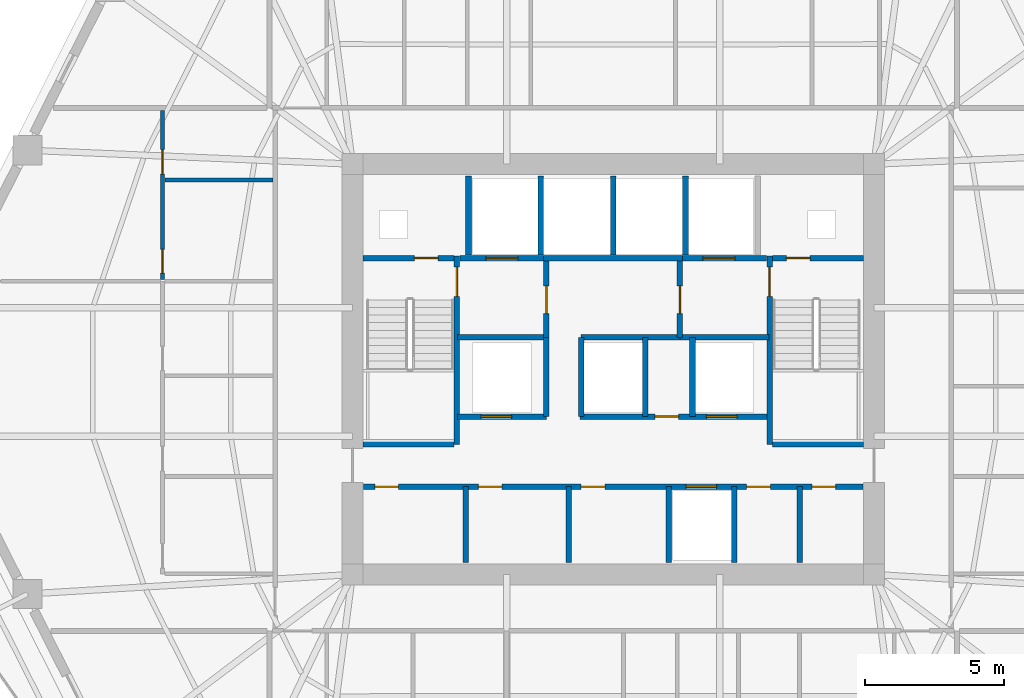
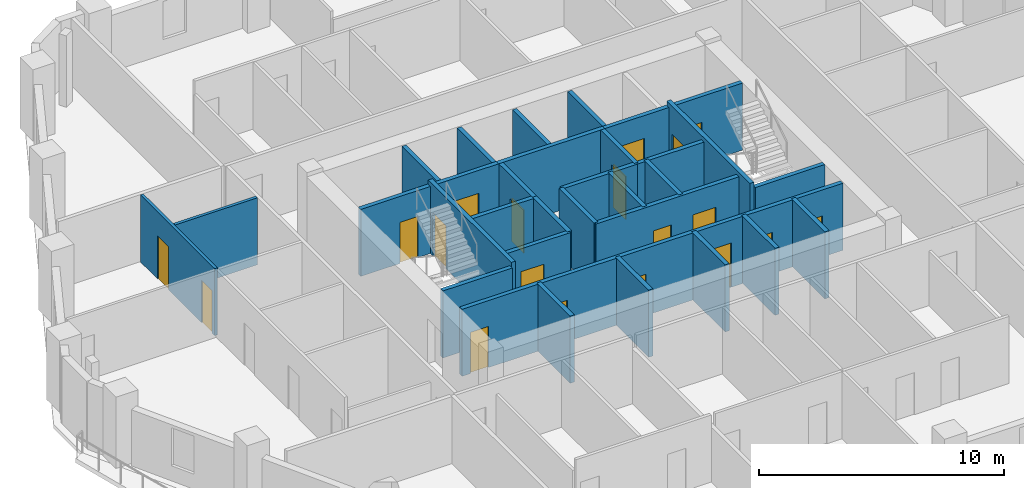
# One storey, part 5 of 11: 32 walls, 19 doors, 19 openings.
"""IFC4 building model written with IfcOpenShell, lengths in metres."""

from ifc_helpers import new_model, si_unit, direction, frame, frame_2d, origin, place, context, subcontext, project, spatial, rectangle, extrude, material, layer, layer_set, type_object, element, fill, save


model = new_model("IFC4")

# Units and contexts
model_context = context("Model", 3, precision=1e-05, world=origin(), true_north=direction((0.0, 1.0)))
body_context = subcontext(model_context, "Body", "Model", "MODEL_VIEW")
ifc_project = project(units=[si_unit("LENGTHUNIT", "METRE"), si_unit("AREAUNIT", "SQUARE_METRE"), si_unit("VOLUMEUNIT", "CUBIC_METRE"), si_unit("PLANEANGLEUNIT", "RADIAN"), si_unit("MASSUNIT", "GRAM", prefix="KILO")], contexts=[model_context])

# Site, building, storey
site_placement = place(None, origin())
site = spatial("IfcSite", under=ifc_project, at=site_placement, CompositionType="ELEMENT")
building_placement = place(site_placement, origin())
building = spatial("IfcBuilding", under=site, at=building_placement, Name="Cinnabar Lancet Tower", CompositionType="ELEMENT")
storey_placement = place(building_placement, frame((0.0, 0.0, 130.35009765625)))
storey = spatial("IfcBuildingStorey", under=building, at=storey_placement, Name="L34", CompositionType="ELEMENT", Elevation=130.35009765625)

# Walls
ifc_material_1 = material(Name="Autoclaved aerated concrete blockwork", Category="masonry")
ifc_layer_1 = layer(ifc_material_1, 0.199951171875)
ifc_layer_set_1 = layer_set([ifc_layer_1], Name="Autoclaved aerated concrete blockwork")
wall_type_1 = type_object("IfcWallType", Name="ARC-WL-SHAFT-200", PredefinedType="PLUMBINGWALL", material=ifc_layer_set_1)
for number, where, z_axis, x_axis, name in (
    (1, (23.405029296875, 23.199951171875, 0.0), (0.0, 0.0, 1.0), (1.0, 0.0, 0.0), "CW-ST1S-L34"),
    (2, (38.125, 23.199951171875, 0.0), (0.0, 0.0, 1.0), (1.0, 0.0, 0.0), "CW-ST2S-L34"),
):
    element("IfcWall", number, at=place(storey_placement, frame(where, z_axis=z_axis, x_axis=x_axis)), inside=storey, type_object=wall_type_1, Name=name, PredefinedType="PLUMBINGWALL", context=body_context, shape_type="SweptSolid", body=[
        extrude(rectangle(XDim=3.27001953125, YDim=0.199951171875, at=frame_2d((1.635009765625, 0.0))), origin(), (0.0, 0.0, 1.0), 3.33984375),
    ])

# Wall, opening, door
wall_1_placement = place(storey_placement, frame((23.405029296875, 29.89990234375, 0.0), z_axis=(0.0, 0.0, 1.0), x_axis=(1.0, 0.0, 0.0)))
wall_1 = element("IfcWall", 3, at=wall_1_placement, inside=storey, type_object=wall_type_1, Name="CW-NSH-W-L34", PredefinedType="PLUMBINGWALL", context=body_context, shape_type="SweptSolid", body=[
    extrude(rectangle(XDim=3.27001953125, YDim=0.199951171875, at=frame_2d((1.635009765625, 0.0))), origin(), (0.0, 0.0, 1.0), 3.33984375),
])
opening_1_placement = place(wall_1_placement, frame((1.85009765625, 0.0, 0.0)))
opening_1 = element("IfcOpeningElement", 4, at=opening_1_placement, cuts=wall_1, Name="Opening PD-02", PredefinedType="OPENING", context=body_context, shape_type="SweptSolid", body=[
    extrude(rectangle(XDim=0.85009765625, YDim=2.050048828125, at=frame_2d((0.425048828125, 1.02490234375))), frame((0.0, 0.10986328125, 0.0), z_axis=(0.0, -1.0, 0.0), x_axis=(1.0, 0.0, 0.0)), (0.0, 0.0, 1.0), 0.219970703125),
])
ifc_material_2 = material(Name="Fire-rated steel riser access door", Category="steel")
door_type_1 = type_object("IfcDoorType", Name="ARC-DR-RISER", OperationType="NOTDEFINED", PredefinedType="DOOR", material=ifc_material_2)
door_1_placement = place(opening_1_placement, origin())
door_1 = element("IfcDoor", 5, at=door_1_placement, inside=storey, type_object=door_type_1, Name="L34 West Riser Access Door", OperationType="SINGLE_SWING_LEFT", OverallHeight=2.050048828125, OverallWidth=0.85009765625, PredefinedType="DOOR", context=body_context, shape_type="SweptSolid", body=[
    extrude(rectangle(XDim=0.85009765625, YDim=2.050048828125, at=frame_2d((0.425048828125, 1.02490234375))), frame((0.0, 0.02490234375, 0.0), z_axis=(0.0, -1.0, 0.0), x_axis=(1.0, 0.0, 0.0)), (0.0, 0.0, 1.0), 0.050048828125),
])
fill(opening_1, door_1)

wall_2_placement = place(storey_placement, frame((26.885009765625, 29.89990234375, 0.0), z_axis=(0.0, 0.0, 1.0), x_axis=(1.0, 0.0, 0.0)))
wall_2 = element("IfcWall", 6, at=wall_2_placement, inside=storey, type_object=wall_type_1, Name="CW-FL1-L34", PredefinedType="PLUMBINGWALL", context=body_context, shape_type="SweptSolid", body=[
    extrude(rectangle(XDim=3.014892578125, YDim=0.199951171875, at=frame_2d((1.50732421875, 0.0))), origin(), (0.0, 0.0, 1.0), 3.33984375),
])
opening_2_placement = place(wall_2_placement, frame((0.93994140625, 0.0, 0.0)))
opening_2 = element("IfcOpeningElement", 7, at=opening_2_placement, cuts=wall_2, Name="Opening LD-02", PredefinedType="OPENING", context=body_context, shape_type="SweptSolid", body=[
    extrude(rectangle(XDim=1.14990234375, YDim=2.199951171875, at=frame_2d((0.574951171875, 1.10009765625))), frame((0.0, 0.10986328125, 0.0), z_axis=(0.0, -1.0, 0.0), x_axis=(1.0, 0.0, 0.0)), (0.0, 0.0, 1.0), 0.219970703125),
])
ifc_material_3 = material(Name="Fire-rated stainless steel firefighting lift landing door", Category="steel")
door_type_2 = type_object("IfcDoorType", Name="ARC-DR-LD-FIRE", OperationType="NOTDEFINED", PredefinedType="DOOR", material=ifc_material_3)
door_2_placement = place(opening_2_placement, origin())
door_2 = element("IfcDoor", 8, at=door_2_placement, inside=storey, type_object=door_type_2, Name="L34 Firefighting Lift FL-1 Landing Door", OperationType="DOUBLE_DOOR_SLIDING", OverallHeight=2.199951171875, OverallWidth=1.14990234375, PredefinedType="DOOR", context=body_context, shape_type="SweptSolid", body=[
    extrude(rectangle(XDim=1.14990234375, YDim=2.199951171875, at=frame_2d((0.574951171875, 1.10009765625))), frame((0.0, 0.02490234375, 0.0), z_axis=(0.0, -1.0, 0.0), x_axis=(1.0, 0.0, 0.0)), (0.0, 0.0, 1.0), 0.050048828125),
])
fill(opening_2, door_2)

# Wall
wall_3_placement = place(storey_placement, frame((29.89990234375, 29.89990234375, 0.0), z_axis=(0.0, 0.0, 1.0), x_axis=(1.0, 0.0, 0.0)))
element("IfcWall", 9, at=wall_3_placement, inside=storey, type_object=wall_type_1, Name="CW-PL78-L34", PredefinedType="PLUMBINGWALL", context=body_context, shape_type="SweptSolid", body=[
    extrude(rectangle(XDim=5.0, YDim=0.199951171875, at=frame_2d((2.5, 0.0))), origin(), (0.0, 0.0, 1.0), 3.33984375),
])

# Wall, opening, door
wall_4_placement = place(storey_placement, frame((34.89990234375, 29.89990234375, 0.0), z_axis=(0.0, 0.0, 1.0), x_axis=(1.0, 0.0, 0.0)))
wall_4 = element("IfcWall", 10, at=wall_4_placement, inside=storey, type_object=wall_type_1, Name="CW-FL2-L34", PredefinedType="PLUMBINGWALL", context=body_context, shape_type="SweptSolid", body=[
    extrude(rectangle(XDim=3.01513671875, YDim=0.199951171875, at=frame_2d((1.507568359375, 0.0))), origin(), (0.0, 0.0, 1.0), 3.33984375),
])
opening_3_placement = place(wall_4_placement, frame((0.72509765625, 0.0, 0.0)))
opening_3 = element("IfcOpeningElement", 11, at=opening_3_placement, cuts=wall_4, Name="Opening LD-02", PredefinedType="OPENING", context=body_context, shape_type="SweptSolid", body=[
    extrude(rectangle(XDim=1.14990234375, YDim=2.199951171875, at=frame_2d((0.574951171875, 1.10009765625))), frame((0.0, 0.10986328125, 0.0), z_axis=(0.0, -1.0, 0.0), x_axis=(1.0, 0.0, 0.0)), (0.0, 0.0, 1.0), 0.219970703125),
])
door_3_placement = place(opening_3_placement, origin())
door_3 = element("IfcDoor", 12, at=door_3_placement, inside=storey, type_object=door_type_2, Name="L34 Firefighting Lift FL-2 Landing Door", OperationType="DOUBLE_DOOR_SLIDING", OverallHeight=2.199951171875, OverallWidth=1.14990234375, PredefinedType="DOOR", context=body_context, shape_type="SweptSolid", body=[
    extrude(rectangle(XDim=1.14990234375, YDim=2.199951171875, at=frame_2d((0.574951171875, 1.10009765625))), frame((0.0, 0.02490234375, 0.0), z_axis=(0.0, -1.0, 0.0), x_axis=(1.0, 0.0, 0.0)), (0.0, 0.0, 1.0), 0.050048828125),
])
fill(opening_3, door_3)

wall_5_placement = place(storey_placement, frame((38.125, 29.89990234375, 0.0), z_axis=(0.0, 0.0, 1.0), x_axis=(1.0, 0.0, 0.0)))
wall_5 = element("IfcWall", 13, at=wall_5_placement, inside=storey, type_object=wall_type_1, Name="CW-NSH-E-L34", PredefinedType="PLUMBINGWALL", context=body_context, shape_type="SweptSolid", body=[
    extrude(rectangle(XDim=3.27001953125, YDim=0.199951171875, at=frame_2d((1.635009765625, 0.0))), origin(), (0.0, 0.0, 1.0), 3.33984375),
])
opening_4_placement = place(wall_5_placement, frame((0.5, 0.0, 0.0)))
opening_4 = element("IfcOpeningElement", 14, at=opening_4_placement, cuts=wall_5, Name="Opening PD-02", PredefinedType="OPENING", context=body_context, shape_type="SweptSolid", body=[
    extrude(rectangle(XDim=0.85009765625, YDim=2.050048828125, at=frame_2d((0.425048828125, 1.02490234375))), frame((0.0, 0.10986328125, 0.0), z_axis=(0.0, -1.0, 0.0), x_axis=(1.0, 0.0, 0.0)), (0.0, 0.0, 1.0), 0.219970703125),
])
door_4_placement = place(opening_4_placement, origin())
door_4 = element("IfcDoor", 15, at=door_4_placement, inside=storey, type_object=door_type_1, Name="L34 East Riser Access Door", OperationType="SINGLE_SWING_RIGHT", OverallHeight=2.050048828125, OverallWidth=0.85009765625, PredefinedType="DOOR", context=body_context, shape_type="SweptSolid", body=[
    extrude(rectangle(XDim=0.85009765625, YDim=2.050048828125, at=frame_2d((0.425048828125, 1.02490234375))), frame((0.0, 0.02490234375, 0.0), z_axis=(0.0, -1.0, 0.0), x_axis=(1.0, 0.0, 0.0)), (0.0, 0.0, 1.0), 0.050048828125),
])
fill(opening_4, door_4)

# Walls
for number, where, z_axis, x_axis, name in (
    (16, (27.199951171875, 30.0, 0.0), (0.0, 0.0, 1.0), (0.0, 1.0, 0.0), "CW-NSH-D1-L34"),
    (17, (29.800048828125, 30.0, 0.0), (0.0, 0.0, 1.0), (0.0, 1.0, 0.0), "CW-NSH-D2-L34"),
    (18, (32.39990234375, 30.0, 0.0), (0.0, 0.0, 1.0), (0.0, 1.0, 0.0), "CW-NSH-D3-L34"),
    (19, (35.0, 30.0, 0.0), (0.0, 0.0, 1.0), (0.0, 1.0, 0.0), "CW-NSH-D4-L34"),
):
    element("IfcWall", number, at=place(storey_placement, frame(where, z_axis=z_axis, x_axis=x_axis)), inside=storey, type_object=wall_type_1, Name=name, PredefinedType="PLUMBINGWALL", context=body_context, shape_type="SweptSolid", body=[
        extrude(rectangle(XDim=2.85009765625, YDim=0.199951171875, at=frame_2d((1.425048828125, 0.0))), origin(), (0.0, 0.0, 1.0), 3.33984375),
    ])

# Wall, opening, door
wall_6_placement = place(storey_placement, frame((30.0, 27.050048828125, 0.0), z_axis=(0.0, 0.0, 1.0), x_axis=(0.0, 1.0, 0.0)))
wall_6 = element("IfcWall", 20, at=wall_6_placement, inside=storey, type_object=wall_type_1, Name="CW-FF1E-L34", PredefinedType="PLUMBINGWALL", context=body_context, shape_type="SweptSolid", body=[
    extrude(rectangle(XDim=2.75, YDim=0.199951171875, at=frame_2d((1.375, 0.0))), origin(), (0.0, 0.0, 1.0), 3.33984375),
])
opening_5_placement = place(wall_6_placement, frame((0.85009765625, 0.0, 0.0)))
opening_5 = element("IfcOpeningElement", 21, at=opening_5_placement, cuts=wall_6, Name="Opening FD-01", PredefinedType="OPENING", context=body_context, shape_type="SweptSolid", body=[
    extrude(rectangle(XDim=1.0, YDim=2.14990234375, at=frame_2d((0.5, 1.074951171875))), frame((0.0, 0.10986328125, 0.0), z_axis=(0.0, -1.0, 0.0), x_axis=(1.0, 0.0, 0.0)), (0.0, 0.0, 1.0), 0.219970703125),
])
ifc_material_4 = material(Name="Fire-rated timber-core lobby door", Category="wood")
door_type_3 = type_object("IfcDoorType", Name="ARC-DR-FFAL", OperationType="NOTDEFINED", PredefinedType="DOOR", material=ifc_material_4)
door_5_placement = place(opening_5_placement, origin())
door_5 = element("IfcDoor", 22, at=door_5_placement, inside=storey, type_object=door_type_3, Name="L34 FFAL-1 Lobby Fire Door", OperationType="SINGLE_SWING_RIGHT", OverallHeight=2.14990234375, OverallWidth=1.0, PredefinedType="DOOR", context=body_context, shape_type="SweptSolid", body=[
    extrude(rectangle(XDim=1.0, YDim=2.14990234375, at=frame_2d((0.5, 1.074951171875))), frame((0.0, 0.02490234375, 0.0), z_axis=(0.0, -1.0, 0.0), x_axis=(1.0, 0.0, 0.0)), (0.0, 0.0, 1.0), 0.050048828125),
])
fill(opening_5, door_5)

# Wall
wall_7_placement = place(storey_placement, frame((26.800048828125, 27.050048828125, 0.0), z_axis=(0.0, 0.0, 1.0), x_axis=(1.0, 0.0, 0.0)))
element("IfcWall", 23, at=wall_7_placement, inside=storey, type_object=wall_type_1, Name="CW-FF1S-L34", PredefinedType="PLUMBINGWALL", context=body_context, shape_type="SweptSolid", body=[
    extrude(rectangle(XDim=3.199951171875, YDim=0.199951171875, at=frame_2d((1.60009765625, 0.0))), origin(), (0.0, 0.0, 1.0), 3.33984375),
])

# Wall, opening, door
wall_8_placement = place(storey_placement, frame((34.800048828125, 27.050048828125, 0.0), z_axis=(0.0, 0.0, 1.0), x_axis=(0.0, 1.0, 0.0)))
wall_8 = element("IfcWall", 24, at=wall_8_placement, inside=storey, type_object=wall_type_1, Name="CW-FF2W-L34", PredefinedType="PLUMBINGWALL", context=body_context, shape_type="SweptSolid", body=[
    extrude(rectangle(XDim=2.75, YDim=0.199951171875, at=frame_2d((1.375, 0.0))), origin(), (0.0, 0.0, 1.0), 3.33984375),
])
opening_6_placement = place(wall_8_placement, frame((0.85009765625, 0.0, 0.0)))
opening_6 = element("IfcOpeningElement", 25, at=opening_6_placement, cuts=wall_8, Name="Opening FD-01", PredefinedType="OPENING", context=body_context, shape_type="SweptSolid", body=[
    extrude(rectangle(XDim=1.0, YDim=2.14990234375, at=frame_2d((0.5, 1.074951171875))), frame((0.0, 0.10986328125, 0.0), z_axis=(0.0, -1.0, 0.0), x_axis=(1.0, 0.0, 0.0)), (0.0, 0.0, 1.0), 0.219970703125),
])
door_6_placement = place(opening_6_placement, origin())
door_6 = element("IfcDoor", 26, at=door_6_placement, inside=storey, type_object=door_type_3, Name="L34 FFAL-2 Lobby Fire Door", OperationType="SINGLE_SWING_LEFT", OverallHeight=2.14990234375, OverallWidth=1.0, PredefinedType="DOOR", context=body_context, shape_type="SweptSolid", body=[
    extrude(rectangle(XDim=1.0, YDim=2.14990234375, at=frame_2d((0.5, 1.074951171875))), frame((0.0, 0.02490234375, 0.0), z_axis=(0.0, -1.0, 0.0), x_axis=(1.0, 0.0, 0.0)), (0.0, 0.0, 1.0), 0.050048828125),
])
fill(opening_6, door_6)

# Wall
wall_9_placement = place(storey_placement, frame((34.800048828125, 27.050048828125, 0.0), z_axis=(0.0, 0.0, 1.0), x_axis=(1.0, 0.0, 0.0)))
element("IfcWall", 27, at=wall_9_placement, inside=storey, type_object=wall_type_1, Name="CW-FF2S-L34", PredefinedType="PLUMBINGWALL", context=body_context, shape_type="SweptSolid", body=[
    extrude(rectangle(XDim=3.199951171875, YDim=0.199951171875, at=frame_2d((1.60009765625, 0.0))), origin(), (0.0, 0.0, 1.0), 3.33984375),
])

# Wall, opening, door
wall_10_placement = place(storey_placement, frame((26.800048828125, 24.199951171875, 0.0), z_axis=(0.0, 0.0, 1.0), x_axis=(1.0, 0.0, 0.0)))
wall_10 = element("IfcWall", 28, at=wall_10_placement, inside=storey, type_object=wall_type_1, Name="CW-PL5S-L34", PredefinedType="PLUMBINGWALL", context=body_context, shape_type="SweptSolid", body=[
    extrude(rectangle(XDim=3.199951171875, YDim=0.199951171875, at=frame_2d((1.60009765625, 0.0))), origin(), (0.0, 0.0, 1.0), 3.33984375),
])
opening_7_placement = place(wall_10_placement, frame((0.85009765625, 0.0, 0.0)))
opening_7 = element("IfcOpeningElement", 29, at=opening_7_placement, cuts=wall_10, Name="Opening LD-01", PredefinedType="OPENING", context=body_context, shape_type="SweptSolid", body=[
    extrude(rectangle(XDim=1.10009765625, YDim=2.199951171875, at=frame_2d((0.550048828125, 1.10009765625))), frame((0.0, 0.10986328125, 0.0), z_axis=(0.0, -1.0, 0.0), x_axis=(1.0, 0.0, 0.0)), (0.0, 0.0, 1.0), 0.219970703125),
])
ifc_material_5 = material(Name="Brushed stainless steel sliding lift door", Category="steel")
door_type_4 = type_object("IfcDoorType", Name="ARC-DR-LD-PASS", OperationType="NOTDEFINED", PredefinedType="DOOR", material=ifc_material_5)
door_7_placement = place(opening_7_placement, origin())
door_7 = element("IfcDoor", 30, at=door_7_placement, inside=storey, type_object=door_type_4, Name="L34 Lift PL-5 Landing Door", OperationType="DOUBLE_DOOR_SLIDING", OverallHeight=2.199951171875, OverallWidth=1.10009765625, PredefinedType="DOOR", context=body_context, shape_type="SweptSolid", body=[
    extrude(rectangle(XDim=1.10009765625, YDim=2.199951171875, at=frame_2d((0.550048828125, 1.10009765625))), frame((0.0, 0.02490234375, 0.0), z_axis=(0.0, -1.0, 0.0), x_axis=(1.0, 0.0, 0.0)), (0.0, 0.0, 1.0), 0.050048828125),
])
fill(opening_7, door_7)

# Wall
wall_11_placement = place(storey_placement, frame((30.0, 24.199951171875, 0.0), z_axis=(0.0, 0.0, 1.0), x_axis=(0.0, 1.0, 0.0)))
element("IfcWall", 31, at=wall_11_placement, inside=storey, type_object=wall_type_1, Name="CW-PL5E-L34", PredefinedType="PLUMBINGWALL", context=body_context, shape_type="SweptSolid", body=[
    extrude(rectangle(XDim=2.85009765625, YDim=0.199951171875, at=frame_2d((1.425048828125, 0.0))), origin(), (0.0, 0.0, 1.0), 3.33984375),
])

# Wall, openings, doors
wall_12_placement = place(storey_placement, frame((31.199951171875, 24.199951171875, 0.0), z_axis=(0.0, 0.0, 1.0), x_axis=(1.0, 0.0, 0.0)))
wall_12 = element("IfcWall", 32, at=wall_12_placement, inside=storey, type_object=wall_type_1, Name="CW-PL96S-L34", PredefinedType="PLUMBINGWALL", context=body_context, shape_type="SweptSolid", body=[
    extrude(rectangle(XDim=6.800048828125, YDim=0.199951171875, at=frame_2d((3.39990234375, 0.0))), origin(), (0.0, 0.0, 1.0), 3.33984375),
])
opening_8_placement = place(wall_12_placement, frame((2.699951171875, 0.0, 0.0)))
opening_8 = element("IfcOpeningElement", 33, at=opening_8_placement, cuts=wall_12, Name="Opening PD-02", PredefinedType="OPENING", context=body_context, shape_type="SweptSolid", body=[
    extrude(rectangle(XDim=0.85009765625, YDim=2.050048828125, at=frame_2d((0.425048828125, 1.02490234375))), frame((0.0, 0.10986328125, 0.0), z_axis=(0.0, -1.0, 0.0), x_axis=(1.0, 0.0, 0.0)), (0.0, 0.0, 1.0), 0.219970703125),
])
opening_9_placement = place(wall_12_placement, frame((4.550048828125, 0.0, 0.0)))
opening_9 = element("IfcOpeningElement", 34, at=opening_9_placement, cuts=wall_12, Name="Opening LD-01", PredefinedType="OPENING", context=body_context, shape_type="SweptSolid", body=[
    extrude(rectangle(XDim=1.10009765625, YDim=2.199951171875, at=frame_2d((0.550048828125, 1.10009765625))), frame((0.0, 0.10986328125, 0.0), z_axis=(0.0, -1.0, 0.0), x_axis=(1.0, 0.0, 0.0)), (0.0, 0.0, 1.0), 0.219970703125),
])
door_8_placement = place(opening_9_placement, origin())
door_8 = element("IfcDoor", 35, at=door_8_placement, inside=storey, type_object=door_type_4, Name="L34 Lift PL-6 Landing Door", OperationType="DOUBLE_DOOR_SLIDING", OverallHeight=2.199951171875, OverallWidth=1.10009765625, PredefinedType="DOOR", context=body_context, shape_type="SweptSolid", body=[
    extrude(rectangle(XDim=1.10009765625, YDim=2.199951171875, at=frame_2d((0.550048828125, 1.10009765625))), frame((0.0, 0.02490234375, 0.0), z_axis=(0.0, -1.0, 0.0), x_axis=(1.0, 0.0, 0.0)), (0.0, 0.0, 1.0), 0.050048828125),
])
fill(opening_9, door_8)
door_9_placement = place(opening_8_placement, origin())
door_9 = element("IfcDoor", 36, at=door_9_placement, inside=storey, type_object=door_type_1, Name="L34 BMS Closet Door", OperationType="SINGLE_SWING_LEFT", OverallHeight=2.050048828125, OverallWidth=0.85009765625, PredefinedType="DOOR", context=body_context, shape_type="SweptSolid", body=[
    extrude(rectangle(XDim=0.85009765625, YDim=2.050048828125, at=frame_2d((0.425048828125, 1.02490234375))), frame((0.0, 0.02490234375, 0.0), z_axis=(0.0, -1.0, 0.0), x_axis=(1.0, 0.0, 0.0)), (0.0, 0.0, 1.0), 0.050048828125),
])
fill(opening_8, door_9)

# Walls
for number, where, z_axis, x_axis, name in (
    (37, (31.25, 24.199951171875, 0.0), (0.0, 0.0, 1.0), (0.0, 1.0, 0.0), "CW-PL9W-L34"),
    (38, (33.550048828125, 24.199951171875, 0.0), (0.0, 0.0, 1.0), (0.0, 1.0, 0.0), "CW-PL9E-L34"),
    (39, (35.25, 24.199951171875, 0.0), (0.0, 0.0, 1.0), (0.0, 1.0, 0.0), "CW-PL6W-L34"),
):
    element("IfcWall", number, at=place(storey_placement, frame(where, z_axis=z_axis, x_axis=x_axis)), inside=storey, type_object=wall_type_1, Name=name, PredefinedType="PLUMBINGWALL", context=body_context, shape_type="SweptSolid", body=[
        extrude(rectangle(XDim=2.85009765625, YDim=0.199951171875, at=frame_2d((1.425048828125, 0.0))), origin(), (0.0, 0.0, 1.0), 3.33984375),
    ])
wall_13_placement = place(storey_placement, frame((31.25, 27.050048828125, 0.0), z_axis=(0.0, 0.0, 1.0), x_axis=(1.0, 0.0, 0.0)))
element("IfcWall", 40, at=wall_13_placement, inside=storey, type_object=wall_type_1, Name="CW-PL96N-L34", PredefinedType="PLUMBINGWALL", context=body_context, shape_type="SweptSolid", body=[
    extrude(rectangle(XDim=3.550048828125, YDim=0.199951171875, at=frame_2d((1.77490234375, 0.0))), origin(), (0.0, 0.0, 1.0), 3.33984375),
])

# Wall, openings, doors
wall_14_placement = place(storey_placement, frame((23.419921875, 21.679931640625, 0.0), z_axis=(0.0, 0.0, 1.0), x_axis=(1.0, 0.0, 0.0)))
wall_14 = element("IfcWall", 41, at=wall_14_placement, inside=storey, type_object=wall_type_1, Name="CW-SBANDN-L34", PredefinedType="PLUMBINGWALL", context=body_context, shape_type="SweptSolid", body=[
    extrude(rectangle(XDim=17.9599609375, YDim=0.199951171875, at=frame_2d((8.97998046875, 0.0))), origin(), (0.0, 0.0, 1.0), 3.33984375),
])
opening_10_placement = place(wall_14_placement, frame((11.60009765625, 0.0, 0.0)))
opening_10 = element("IfcOpeningElement", 42, at=opening_10_placement, cuts=wall_14, Name="Opening LD-01", PredefinedType="OPENING", context=body_context, shape_type="SweptSolid", body=[
    extrude(rectangle(XDim=1.10009765625, YDim=2.199951171875, at=frame_2d((0.550048828125, 1.10009765625))), frame((0.0, 0.10986328125, 0.0), z_axis=(0.0, -1.0, 0.0), x_axis=(1.0, 0.0, 0.0)), (0.0, 0.0, 1.0), 0.219970703125),
])
opening_11_placement = place(wall_14_placement, frame((0.409912109375, 0.0, 0.0)))
opening_11 = element("IfcOpeningElement", 43, at=opening_11_placement, cuts=wall_14, Name="Opening PD-02", PredefinedType="OPENING", context=body_context, shape_type="SweptSolid", body=[
    extrude(rectangle(XDim=0.85009765625, YDim=2.050048828125, at=frame_2d((0.425048828125, 1.02490234375))), frame((0.0, 0.10986328125, 0.0), z_axis=(0.0, -1.0, 0.0), x_axis=(1.0, 0.0, 0.0)), (0.0, 0.0, 1.0), 0.219970703125),
])
opening_12_placement = place(wall_14_placement, frame((4.1298828125, 0.0, 0.0)))
opening_12 = element("IfcOpeningElement", 44, at=opening_12_placement, cuts=wall_14, Name="Opening PD-02", PredefinedType="OPENING", context=body_context, shape_type="SweptSolid", body=[
    extrude(rectangle(XDim=0.85009765625, YDim=2.050048828125, at=frame_2d((0.425048828125, 1.02490234375))), frame((0.0, 0.10986328125, 0.0), z_axis=(0.0, -1.0, 0.0), x_axis=(1.0, 0.0, 0.0)), (0.0, 0.0, 1.0), 0.219970703125),
])
opening_13_placement = place(wall_14_placement, frame((7.830078125, 0.0, 0.0)))
opening_13 = element("IfcOpeningElement", 45, at=opening_13_placement, cuts=wall_14, Name="Opening PD-02", PredefinedType="OPENING", context=body_context, shape_type="SweptSolid", body=[
    extrude(rectangle(XDim=0.85009765625, YDim=2.050048828125, at=frame_2d((0.425048828125, 1.02490234375))), frame((0.0, 0.10986328125, 0.0), z_axis=(0.0, -1.0, 0.0), x_axis=(1.0, 0.0, 0.0)), (0.0, 0.0, 1.0), 0.219970703125),
])
opening_14_placement = place(wall_14_placement, frame((13.780029296875, 0.0, 0.0)))
opening_14 = element("IfcOpeningElement", 46, at=opening_14_placement, cuts=wall_14, Name="Opening PD-02", PredefinedType="OPENING", context=body_context, shape_type="SweptSolid", body=[
    extrude(rectangle(XDim=0.85009765625, YDim=2.050048828125, at=frame_2d((0.425048828125, 1.02490234375))), frame((0.0, 0.10986328125, 0.0), z_axis=(0.0, -1.0, 0.0), x_axis=(1.0, 0.0, 0.0)), (0.0, 0.0, 1.0), 0.219970703125),
])
opening_15_placement = place(wall_14_placement, frame((16.1298828125, 0.0, 0.0)))
opening_15 = element("IfcOpeningElement", 47, at=opening_15_placement, cuts=wall_14, Name="Opening PD-02", PredefinedType="OPENING", context=body_context, shape_type="SweptSolid", body=[
    extrude(rectangle(XDim=0.85009765625, YDim=2.050048828125, at=frame_2d((0.425048828125, 1.02490234375))), frame((0.0, 0.10986328125, 0.0), z_axis=(0.0, -1.0, 0.0), x_axis=(1.0, 0.0, 0.0)), (0.0, 0.0, 1.0), 0.219970703125),
])
door_10_placement = place(opening_10_placement, origin())
door_10 = element("IfcDoor", 48, at=door_10_placement, inside=storey, type_object=door_type_4, Name="L34 Lift PL-4 Landing Door", OperationType="DOUBLE_DOOR_SLIDING", OverallHeight=2.199951171875, OverallWidth=1.10009765625, PredefinedType="DOOR", context=body_context, shape_type="SweptSolid", body=[
    extrude(rectangle(XDim=1.10009765625, YDim=2.199951171875, at=frame_2d((0.550048828125, 1.10009765625))), frame((0.0, 0.02490234375, 0.0), z_axis=(0.0, -1.0, 0.0), x_axis=(1.0, 0.0, 0.0)), (0.0, 0.0, 1.0), 0.050048828125),
])
fill(opening_10, door_10)
door_11_placement = place(opening_11_placement, origin())
door_11 = element("IfcDoor", 49, at=door_11_placement, inside=storey, type_object=door_type_1, Name="DR-L34-MREC1", OperationType="SINGLE_SWING_LEFT", OverallHeight=2.050048828125, OverallWidth=0.85009765625, PredefinedType="DOOR", context=body_context, shape_type="SweptSolid", body=[
    extrude(rectangle(XDim=0.85009765625, YDim=2.050048828125, at=frame_2d((0.425048828125, 1.02490234375))), frame((0.0, 0.02490234375, 0.0), z_axis=(0.0, -1.0, 0.0), x_axis=(1.0, 0.0, 0.0)), (0.0, 0.0, 1.0), 0.050048828125),
])
fill(opening_11, door_11)
door_12_placement = place(opening_12_placement, origin())
door_12 = element("IfcDoor", 50, at=door_12_placement, inside=storey, type_object=door_type_1, Name="DR-L34-MREC2", OperationType="SINGLE_SWING_RIGHT", OverallHeight=2.050048828125, OverallWidth=0.85009765625, PredefinedType="DOOR", context=body_context, shape_type="SweptSolid", body=[
    extrude(rectangle(XDim=0.85009765625, YDim=2.050048828125, at=frame_2d((0.425048828125, 1.02490234375))), frame((0.0, 0.02490234375, 0.0), z_axis=(0.0, -1.0, 0.0), x_axis=(1.0, 0.0, 0.0)), (0.0, 0.0, 1.0), 0.050048828125),
])
fill(opening_12, door_12)
door_13_placement = place(opening_13_placement, origin())
door_13 = element("IfcDoor", 51, at=door_13_placement, inside=storey, type_object=door_type_1, Name="DR-L34-MREC3", OperationType="SINGLE_SWING_LEFT", OverallHeight=2.050048828125, OverallWidth=0.85009765625, PredefinedType="DOOR", context=body_context, shape_type="SweptSolid", body=[
    extrude(rectangle(XDim=0.85009765625, YDim=2.050048828125, at=frame_2d((0.425048828125, 1.02490234375))), frame((0.0, 0.02490234375, 0.0), z_axis=(0.0, -1.0, 0.0), x_axis=(1.0, 0.0, 0.0)), (0.0, 0.0, 1.0), 0.050048828125),
])
fill(opening_13, door_13)
door_14_placement = place(opening_14_placement, origin())
door_14 = element("IfcDoor", 52, at=door_14_placement, inside=storey, type_object=door_type_1, Name="DR-L34-MREC4", OperationType="SINGLE_SWING_RIGHT", OverallHeight=2.050048828125, OverallWidth=0.85009765625, PredefinedType="DOOR", context=body_context, shape_type="SweptSolid", body=[
    extrude(rectangle(XDim=0.85009765625, YDim=2.050048828125, at=frame_2d((0.425048828125, 1.02490234375))), frame((0.0, 0.02490234375, 0.0), z_axis=(0.0, -1.0, 0.0), x_axis=(1.0, 0.0, 0.0)), (0.0, 0.0, 1.0), 0.050048828125),
])
fill(opening_14, door_14)
door_15_placement = place(opening_15_placement, origin())
door_15 = element("IfcDoor", 53, at=door_15_placement, inside=storey, type_object=door_type_1, Name="DR-L34-MREC5", OperationType="SINGLE_SWING_LEFT", OverallHeight=2.050048828125, OverallWidth=0.85009765625, PredefinedType="DOOR", context=body_context, shape_type="SweptSolid", body=[
    extrude(rectangle(XDim=0.85009765625, YDim=2.050048828125, at=frame_2d((0.425048828125, 1.02490234375))), frame((0.0, 0.02490234375, 0.0), z_axis=(0.0, -1.0, 0.0), x_axis=(1.0, 0.0, 0.0)), (0.0, 0.0, 1.0), 0.050048828125),
])
fill(opening_15, door_15)

# Walls
for number, where, z_axis, x_axis, name in (
    (54, (34.39990234375, 18.949951171875, 0.0), (0.0, 0.0, 1.0), (0.0, 1.0, 0.0), "CW-SB-3440-L34"),
    (55, (36.75, 18.949951171875, 0.0), (0.0, 0.0, 1.0), (0.0, 1.0, 0.0), "CW-SB-3675-L34"),
    (56, (27.10009765625, 18.949951171875, 0.0), (0.0, 0.0, 1.0), (0.0, 1.0, 0.0), "CW-SB-2710-L34"),
    (57, (30.800048828125, 18.949951171875, 0.0), (0.0, 0.0, 1.0), (0.0, 1.0, 0.0), "CW-SB-3080-L34"),
    (58, (39.10009765625, 18.949951171875, 0.0), (0.0, 0.0, 1.0), (0.0, 1.0, 0.0), "CW-SB-3910-L34"),
):
    element("IfcWall", number, at=place(storey_placement, frame(where, z_axis=z_axis, x_axis=x_axis)), inside=storey, type_object=wall_type_1, Name=name, PredefinedType="PLUMBINGWALL", context=body_context, shape_type="SweptSolid", body=[
        extrude(rectangle(XDim=2.72998046875, YDim=0.199951171875, at=frame_2d((1.364990234375, 0.0))), origin(), (0.0, 0.0, 1.0), 3.33984375),
    ])

# Wall, openings, doors
ifc_material_6 = material(Name="Moisture-resistant cement-board plumbing wall", Category="masonry")
ifc_layer_2 = layer(ifc_material_6, 0.139892578125)
ifc_layer_set_2 = layer_set([ifc_layer_2], Name="Moisture-resistant cement-board plumbing wall")
wall_type_2 = type_object("IfcWallType", Name="ARC-WL-WET-140", PredefinedType="PLUMBINGWALL", material=ifc_layer_set_2)
wall_15_placement = place(storey_placement, frame((16.199951171875, 29.134033203125, 0.0), z_axis=(0.0, 0.0, 1.0), x_axis=(0.0, 1.0, 0.0)))
wall_15 = element("IfcWall", 59, at=wall_15_placement, inside=storey, type_object=wall_type_2, Name="UW-L34-W01-SPM", PredefinedType="PLUMBINGWALL", context=body_context, shape_type="SweptSolid", body=[
    extrude(rectangle(XDim=6.071044921875, YDim=0.139892578125, at=frame_2d((3.03564453125, 0.0))), origin(), (0.0, 0.0, 1.0), 3.33984375),
])
opening_16_placement = place(wall_15_placement, frame((0.219970703125, 0.0, 0.0)))
opening_16 = element("IfcOpeningElement", 60, at=opening_16_placement, cuts=wall_15, Name="Opening BD-01", PredefinedType="OPENING", context=body_context, shape_type="SweptSolid", body=[
    extrude(rectangle(XDim=0.860107421875, YDim=2.10009765625, at=frame_2d((0.43017578125, 1.050048828125))), frame((0.0, 0.079833984375, 0.0), z_axis=(0.0, -1.0, 0.0), x_axis=(1.0, 0.0, 0.0)), (0.0, 0.0, 1.0), 0.159912109375),
])
opening_17_placement = place(wall_15_placement, frame((3.785888671875, 0.0, 0.0)))
opening_17 = element("IfcOpeningElement", 61, at=opening_17_placement, cuts=wall_15, Name="Opening RD-02", PredefinedType="OPENING", context=body_context, shape_type="SweptSolid", body=[
    extrude(rectangle(XDim=0.8798828125, YDim=2.14990234375, at=frame_2d((0.43994140625, 1.074951171875))), frame((0.0, 0.079833984375, 0.0), z_axis=(0.0, -1.0, 0.0), x_axis=(1.0, 0.0, 0.0)), (0.0, 0.0, 1.0), 0.159912109375),
])
ifc_material_7 = material(Name="Moisture-resistant timber bathroom door", Category="wood")
door_type_5 = type_object("IfcDoorType", Name="ARC-DR-BATH", OperationType="NOTDEFINED", PredefinedType="DOOR", material=ifc_material_7)
door_16_placement = place(opening_16_placement, origin())
door_16 = element("IfcDoor", 62, at=door_16_placement, inside=storey, type_object=door_type_5, Name="DR-L34-W01-ENS", OperationType="SINGLE_SWING_RIGHT", OverallHeight=2.10009765625, OverallWidth=0.860107421875, PredefinedType="DOOR", context=body_context, shape_type="SweptSolid", body=[
    extrude(rectangle(XDim=0.860107421875, YDim=2.10009765625, at=frame_2d((0.43017578125, 1.050048828125))), frame((0.0, 0.02490234375, 0.0), z_axis=(0.0, -1.0, 0.0), x_axis=(1.0, 0.0, 0.0)), (0.0, 0.0, 1.0), 0.050048828125),
])
fill(opening_16, door_16)
ifc_material_8 = material(Name="Engineered timber study door", Category="wood")
door_type_6 = type_object("IfcDoorType", Name="ARC-DR-STUDY", OperationType="NOTDEFINED", PredefinedType="DOOR", material=ifc_material_8)
door_17_placement = place(opening_17_placement, origin())
door_17 = element("IfcDoor", 63, at=door_17_placement, inside=storey, type_object=door_type_6, Name="DR-L34-W01-EWDR", OperationType="SINGLE_SWING_LEFT", OverallHeight=2.14990234375, OverallWidth=0.8798828125, PredefinedType="DOOR", context=body_context, shape_type="SweptSolid", body=[
    extrude(rectangle(XDim=0.8798828125, YDim=2.14990234375, at=frame_2d((0.43994140625, 1.074951171875))), frame((0.0, 0.02490234375, 0.0), z_axis=(0.0, -1.0, 0.0), x_axis=(1.0, 0.0, 0.0)), (0.0, 0.0, 1.0), 0.050048828125),
])
fill(opening_17, door_17)

# Wall
wall_16_placement = place(storey_placement, frame((16.284912109375, 32.699951171875, 0.0), z_axis=(0.0, 0.0, 1.0), x_axis=(1.0, 0.0, 0.0)))
element("IfcWall", 64, at=wall_16_placement, inside=storey, type_object=wall_type_2, Name="UW-L34-W01-EWDV", PredefinedType="PLUMBINGWALL", context=body_context, shape_type="SweptSolid", body=[
    extrude(rectangle(XDim=3.880126953125, YDim=0.139892578125, at=frame_2d((1.93994140625, 0.0))), origin(), (0.0, 0.0, 1.0), 3.33984375),
])

# Wall, opening, door
ifc_material_9 = material(Name="Concrete C50/60", Category="concrete")
ifc_layer_3 = layer(ifc_material_9, 0.199951171875)
ifc_layer_set_3 = layer_set([ifc_layer_3], Name="Concrete C50/60")
wall_type_3 = type_object("IfcWallType", Name="STR-WL-STAIR-200", PredefinedType="SHEAR", material=ifc_layer_set_3)
wall_17_placement = place(storey_placement, frame((26.780029296875, 23.199951171875, 0.0), z_axis=(0.0, 0.0, 1.0), x_axis=(0.0, 1.0, 0.0)))
wall_17 = element("IfcWall", 65, at=wall_17_placement, inside=storey, type_object=wall_type_3, Name="L34 Stair ST-1 Structural Enclosure Wall", PredefinedType="SHEAR", context=body_context, shape_type="SweptSolid", body=[
    extrude(rectangle(XDim=6.780029296875, YDim=0.199951171875, at=frame_2d((3.39013671875, 0.0))), origin(), (0.0, 0.0, 1.0), 3.5498046875),
])
opening_18_placement = place(wall_17_placement, frame((5.320068359375, 0.0, 0.0)))
opening_18 = element("IfcOpeningElement", 66, at=opening_18_placement, cuts=wall_17, Name="Opening SD-01", PredefinedType="OPENING", context=body_context, shape_type="SweptSolid", body=[
    extrude(rectangle(XDim=1.050048828125, YDim=2.14990234375, at=frame_2d((0.52490234375, 1.074951171875))), frame((0.0, 0.10986328125, 0.0), z_axis=(0.0, -1.0, 0.0), x_axis=(1.0, 0.0, 0.0)), (0.0, 0.0, 1.0), 0.219970703125),
])
ifc_material_10 = material(Name="Fire-rated steel stair exit door", Category="steel")
door_type_7 = type_object("IfcDoorType", Name="ARC-DR-STAIR", OperationType="NOTDEFINED", PredefinedType="DOOR", material=ifc_material_10)
door_18_placement = place(opening_18_placement, origin())
door_18 = element("IfcDoor", 67, at=door_18_placement, inside=storey, type_object=door_type_7, Name="L34 Stair ST-1 Fire Door", OperationType="SINGLE_SWING_LEFT", OverallHeight=2.14990234375, OverallWidth=1.050048828125, PredefinedType="DOOR", context=body_context, shape_type="SweptSolid", body=[
    extrude(rectangle(XDim=1.050048828125, YDim=2.14990234375, at=frame_2d((0.52490234375, 1.074951171875))), frame((0.0, 0.02490234375, 0.0), z_axis=(0.0, -1.0, 0.0), x_axis=(1.0, 0.0, 0.0)), (0.0, 0.0, 1.0), 0.050048828125),
])
fill(opening_18, door_18)

wall_18_placement = place(storey_placement, frame((38.02001953125, 23.199951171875, 0.0), z_axis=(0.0, 0.0, 1.0), x_axis=(0.0, 1.0, 0.0)))
wall_18 = element("IfcWall", 68, at=wall_18_placement, inside=storey, type_object=wall_type_3, Name="L34 Stair ST-2 Structural Enclosure Wall", PredefinedType="SHEAR", context=body_context, shape_type="SweptSolid", body=[
    extrude(rectangle(XDim=6.780029296875, YDim=0.199951171875, at=frame_2d((3.39013671875, 0.0))), origin(), (0.0, 0.0, 1.0), 3.5498046875),
])
opening_19_placement = place(wall_18_placement, frame((5.320068359375, 0.0, 0.0)))
opening_19 = element("IfcOpeningElement", 69, at=opening_19_placement, cuts=wall_18, Name="Opening SD-01", PredefinedType="OPENING", context=body_context, shape_type="SweptSolid", body=[
    extrude(rectangle(XDim=1.050048828125, YDim=2.14990234375, at=frame_2d((0.52490234375, 1.074951171875))), frame((0.0, 0.10986328125, 0.0), z_axis=(0.0, -1.0, 0.0), x_axis=(1.0, 0.0, 0.0)), (0.0, 0.0, 1.0), 0.219970703125),
])
door_19_placement = place(opening_19_placement, origin())
door_19 = element("IfcDoor", 70, at=door_19_placement, inside=storey, type_object=door_type_7, Name="L34 Stair ST-2 Fire Door", OperationType="SINGLE_SWING_RIGHT", OverallHeight=2.14990234375, OverallWidth=1.050048828125, PredefinedType="DOOR", context=body_context, shape_type="SweptSolid", body=[
    extrude(rectangle(XDim=1.050048828125, YDim=2.14990234375, at=frame_2d((0.52490234375, 1.074951171875))), frame((0.0, 0.02490234375, 0.0), z_axis=(0.0, -1.0, 0.0), x_axis=(1.0, 0.0, 0.0)), (0.0, 0.0, 1.0), 0.050048828125),
])
fill(opening_19, door_19)

save(model, "model.ifc")
